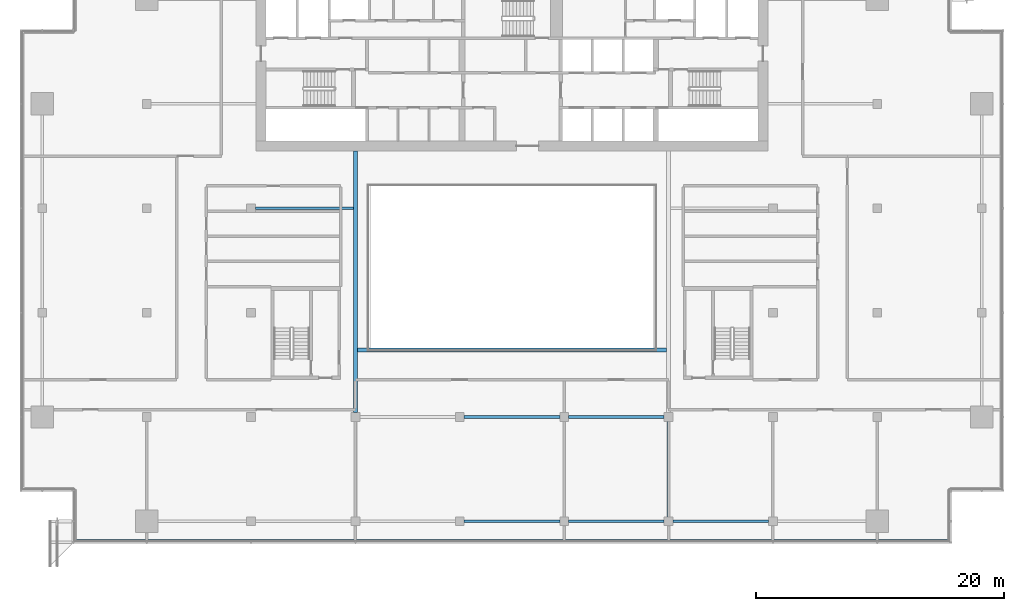
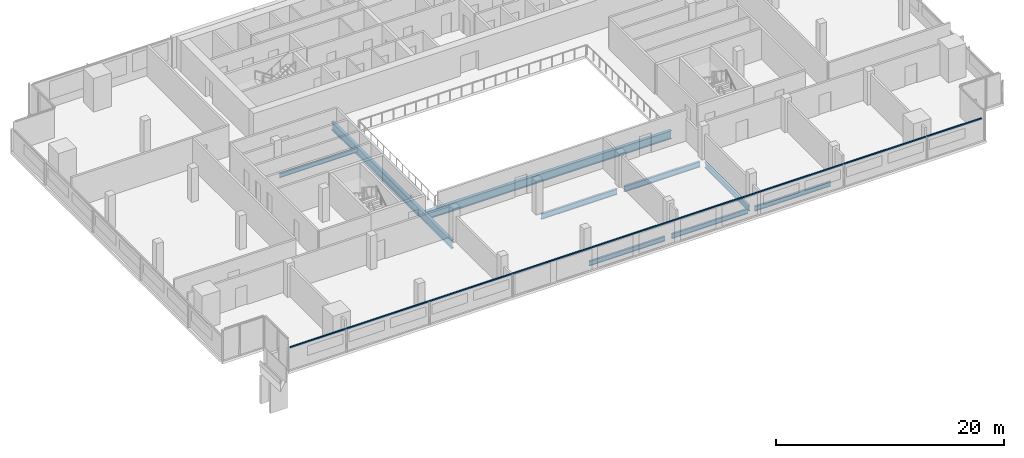
# One storey, part 7 of 24: 9 beams, 1 member, 1 element without a shape of its own.
"""IFC4 building model written with IfcOpenShell, lengths in metres."""

from ifc_helpers import new_model, si_unit, direction, frame, origin, origin_2d, place, context, subcontext, project, spatial, rectangle, i_section, extrude, material, material_profile, profile_set, type_object, element, aggregate, save


model = new_model("IFC4")

# Units and contexts
model_context = context("Model", 3, precision=1e-05, world=origin(), true_north=direction((0.0, 1.0)))
body_context = subcontext(model_context, "Body", "Model", "MODEL_VIEW")
ifc_project = project(units=[si_unit("LENGTHUNIT", "METRE"), si_unit("AREAUNIT", "SQUARE_METRE"), si_unit("VOLUMEUNIT", "CUBIC_METRE"), si_unit("PLANEANGLEUNIT", "RADIAN"), si_unit("MASSUNIT", "GRAM", prefix="KILO")], contexts=[model_context])

# Site, building, storey
site_placement = place(None, origin())
site = spatial("IfcSite", under=ifc_project, at=site_placement, CompositionType="ELEMENT")
building_placement = place(site_placement, origin())
building = spatial("IfcBuilding", under=site, at=building_placement, Name="Saffron Gate Tower", CompositionType="ELEMENT")
storey_placement = place(building_placement, frame((0.0, 0.0, 190.64990234375)))
storey = spatial("IfcBuildingStorey", under=building, at=storey_placement, Name="L47", CompositionType="ELEMENT", Elevation=190.64990234375)

# Beams
ifc_material_1 = material(Name="Structural steel S355", Category="steel")
ifc_material_profile_1 = material_profile(ifc_material_1, i_section(OverallWidth=0.199951171875, OverallDepth=0.5, WebThickness=0.01025390625, FlangeThickness=0.01611328125, FilletRadius=0.02099609375, at=origin_2d()))
ifc_profile_set_1 = profile_set([ifc_material_profile_1], Name="Structural steel S355")
beam_type_1 = type_object("IfcBeamType", Name="B11 IPE 500", PredefinedType="SPANDREL", material=ifc_profile_set_1)
beam_1_placement = place(storey_placement, frame((83.75, 31.800048828125, -0.52978515625), z_axis=(1.0, 0.0, 0.0), x_axis=(0.0, 1.0, 0.0)))
element("IfcBeam", 1, at=beam_1_placement, inside=storey, type_object=beam_type_1, Name="B11 SPANDREL BEAM", PredefinedType="SPANDREL", context=body_context, shape_type="SweptSolid", body=[
    extrude(i_section(OverallWidth=0.199951171875, OverallDepth=0.5, WebThickness=0.01025390625, FlangeThickness=0.01611328125, FilletRadius=0.02099609375, at=origin_2d()), origin(), (0.0, 0.0, 1.0), 7.699951171875),
])
beam_2_placement = place(storey_placement, frame((92.14990234375, 31.800048828125, -0.52978515625), z_axis=(1.0, 0.0, 0.0), x_axis=(0.0, 1.0, 0.0)))
element("IfcBeam", 2, at=beam_2_placement, inside=storey, type_object=beam_type_1, Name="B11 SPANDREL BEAM", PredefinedType="SPANDREL", context=body_context, shape_type="SweptSolid", body=[
    extrude(i_section(OverallWidth=0.199951171875, OverallDepth=0.5, WebThickness=0.01025390625, FlangeThickness=0.01611328125, FilletRadius=0.02099609375, at=origin_2d()), origin(), (0.0, 0.0, 1.0), 7.7001953125),
])
beam_3_placement = place(storey_placement, frame((100.550048828125, 31.800048828125, -0.52978515625), z_axis=(1.0, 0.0, 0.0), x_axis=(0.0, 1.0, 0.0)))
element("IfcBeam", 3, at=beam_3_placement, inside=storey, type_object=beam_type_1, Name="B11 SPANDREL BEAM", PredefinedType="SPANDREL", context=body_context, shape_type="SweptSolid", body=[
    extrude(i_section(OverallWidth=0.199951171875, OverallDepth=0.5, WebThickness=0.01025390625, FlangeThickness=0.01611328125, FilletRadius=0.02099609375, at=origin_2d()), origin(), (0.0, 0.0, 1.0), 7.699951171875),
])
ifc_material_profile_2 = material_profile(ifc_material_1, i_section(OverallWidth=0.219970703125, OverallDepth=0.60009765625, WebThickness=0.011962890625, FlangeThickness=0.01904296875, FilletRadius=0.02392578125, at=origin_2d()))
ifc_profile_set_2 = profile_set([ifc_material_profile_2], Name="Structural steel S355")
beam_type_2 = type_object("IfcBeamType", Name="B15 IPE 600", PredefinedType="BEAM", material=ifc_profile_set_2)
beam_4_placement = place(storey_placement, frame((100.199951171875, 32.14990234375, -0.579833984375), z_axis=(0.0, 1.0, 0.0), x_axis=(-1.0, 0.0, 0.0)))
element("IfcBeam", 4, at=beam_4_placement, inside=storey, type_object=beam_type_2, Name="B15 FLOOR GIRDER", PredefinedType="BEAM", context=body_context, shape_type="SweptSolid", body=[
    extrude(i_section(OverallWidth=0.219970703125, OverallDepth=0.60009765625, WebThickness=0.011962890625, FlangeThickness=0.01904296875, FilletRadius=0.02392578125, at=origin_2d()), origin(), (0.0, 0.0, 1.0), 7.7001953125),
])
beam_5_placement = place(storey_placement, frame((83.75, 40.199951171875, -0.579833984375), z_axis=(1.0, 0.0, 0.0), x_axis=(0.0, 1.0, 0.0)))
element("IfcBeam", 5, at=beam_5_placement, inside=storey, type_object=beam_type_2, Name="B15 FLOOR GIRDER", PredefinedType="BEAM", context=body_context, shape_type="SweptSolid", body=[
    extrude(i_section(OverallWidth=0.219970703125, OverallDepth=0.60009765625, WebThickness=0.011962890625, FlangeThickness=0.01904296875, FilletRadius=0.02392578125, at=origin_2d()), origin(), (0.0, 0.0, 1.0), 7.699951171875),
])
beam_6_placement = place(storey_placement, frame((92.14990234375, 40.199951171875, -0.579833984375), z_axis=(1.0, 0.0, 0.0), x_axis=(0.0, 1.0, 0.0)))
element("IfcBeam", 6, at=beam_6_placement, inside=storey, type_object=beam_type_2, Name="B15 FLOOR GIRDER", PredefinedType="BEAM", context=body_context, shape_type="SweptSolid", body=[
    extrude(i_section(OverallWidth=0.219970703125, OverallDepth=0.60009765625, WebThickness=0.011962890625, FlangeThickness=0.01904296875, FilletRadius=0.02392578125, at=origin_2d()), origin(), (0.0, 0.0, 1.0), 7.7001953125),
])
ifc_material_profile_3 = material_profile(ifc_material_1, i_section(OverallWidth=0.300048828125, OverallDepth=0.889892578125, WebThickness=0.01611328125, FlangeThickness=0.030029296875, FilletRadius=0.030029296875, at=origin_2d()))
ifc_profile_set_3 = profile_set([ifc_material_profile_3], Name="Structural steel S355")
beam_type_3 = type_object("IfcBeamType", Name="B19 HEA 900", PredefinedType="BEAM", material=ifc_profile_set_3)
beam_7_placement = place(storey_placement, frame((75.0, 40.550048828125, -0.724853515625), z_axis=(0.0, 1.0, 0.0), x_axis=(-1.0, 0.0, 0.0)))
element("IfcBeam", 7, at=beam_7_placement, inside=storey, type_object=beam_type_3, Name="B19 ATRIUM GIRDER", PredefinedType="BEAM", context=body_context, shape_type="SweptSolid", body=[
    extrude(i_section(OverallWidth=0.300048828125, OverallDepth=0.889892578125, WebThickness=0.01611328125, FlangeThickness=0.030029296875, FilletRadius=0.030029296875, at=origin_2d()), origin(), (0.0, 0.0, 1.0), 21.050048828125),
])
beam_8_placement = place(storey_placement, frame((75.14990234375, 45.60009765625, -0.724853515625), z_axis=(1.0, 0.0, 0.0), x_axis=(0.0, 1.0, 0.0)))
element("IfcBeam", 8, at=beam_8_placement, inside=storey, type_object=beam_type_3, Name="B19 ATRIUM GIRDER", PredefinedType="BEAM", context=body_context, shape_type="SweptSolid", body=[
    extrude(i_section(OverallWidth=0.300048828125, OverallDepth=0.889892578125, WebThickness=0.01611328125, FlangeThickness=0.030029296875, FilletRadius=0.030029296875, at=origin_2d()), origin(), (0.0, 0.0, 1.0), 24.900146484375),
])
ifc_material_profile_4 = material_profile(ifc_material_1, i_section(OverallWidth=0.18994140625, OverallDepth=0.449951171875, WebThickness=0.009521484375, FlangeThickness=0.0146484375, FilletRadius=0.02099609375, at=origin_2d()))
ifc_profile_set_4 = profile_set([ifc_material_profile_4], Name="Structural steel S355")
beam_type_4 = type_object("IfcBeamType", Name="B6 IPE 450", PredefinedType="BEAM", material=ifc_profile_set_4)
beam_9_placement = place(storey_placement, frame((66.949951171875, 57.0, -0.5048828125), z_axis=(1.0, 0.0, 0.0), x_axis=(0.0, 1.0, 0.0)))
element("IfcBeam", 9, at=beam_9_placement, inside=storey, type_object=beam_type_4, Name="B6 CORE TIE BEAM", PredefinedType="BEAM", context=body_context, shape_type="SweptSolid", body=[
    extrude(i_section(OverallWidth=0.18994140625, OverallDepth=0.449951171875, WebThickness=0.009521484375, FlangeThickness=0.0146484375, FilletRadius=0.02099609375, at=origin_2d()), origin(), (0.0, 0.0, 1.0), 7.900146484375),
])

# Curtain wall, member
ifc_material_2 = material(Name="Aluminium, bronze anodised", Category="aluminium")
curtain_wall_type = type_object("IfcCurtainWallType", Name="CWS1 curtain wall front facade", PredefinedType="NOTDEFINED", material=ifc_material_2)
curtain_wall_placement = place(storey_placement, origin())
curtain_wall = element("IfcCurtainWall", 10, at=curtain_wall_placement, inside=storey, type_object=curtain_wall_type, Name="CWS1 run 1", PredefinedType="NOTDEFINED")
ifc_material_profile_5 = material_profile(ifc_material_2, rectangle(XDim=0.1201171875, YDim=0.1201171875, at=origin_2d()))
ifc_profile_set_5 = profile_set([ifc_material_profile_5], Name="Aluminium, bronze anodised")
member_type = type_object("IfcMemberType", Name="CWS1 head transom", PredefinedType="USERDEFINED", material=ifc_profile_set_5)
member_placement = place(storey_placement, frame((52.568115234375, 30.248046875, 2.35009765625), z_axis=(1.0, 0.0, 0.0), x_axis=(0.0, 1.0, 0.0)))
member = element("IfcMember", 11, at=member_placement, type_object=member_type, Name="CWS1 head transom", ObjectType="TRANSOM", PredefinedType="USERDEFINED", context=body_context, shape_type="SweptSolid", body=[
    extrude(rectangle(XDim=0.1201171875, YDim=0.1201171875, at=origin_2d()), origin(), (0.0, 0.0, 1.0), 70.06396484375),
])
aggregate(curtain_wall, [member])

save(model, "model.ifc")
